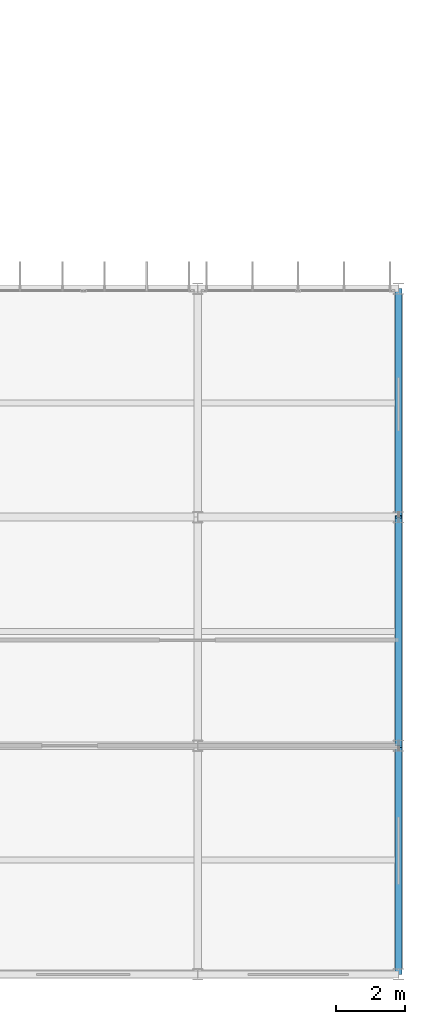
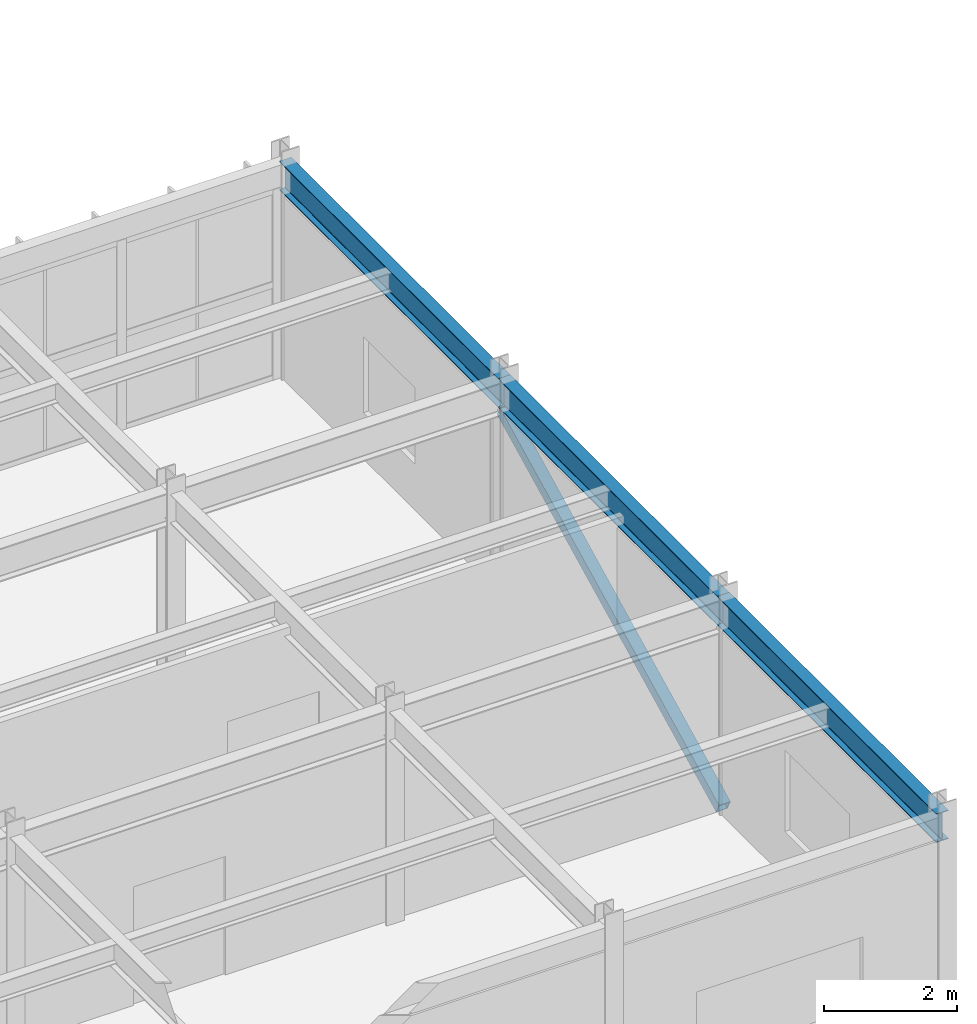
# One storey, part 86 of 130: 3 beams, 1 member.
"""IFC4 building model written with IfcOpenShell, lengths in metres."""

import ifcopenshell
import ifcopenshell.guid

model = None  # the IFC model being written
_history = None  # IfcOwnerHistory: only IFC2X3 demands one
_inside = {}  # id of a spatial element -> (the spatial element, [elements in it])
_under = {}  # id of a project, library or spatial element -> (it, [spatial elements below it])
_declared = {}  # id of a project -> (the project, [libraries it declares])
_typed = {}  # id of a type object -> (the type object, [elements of that type])
_made_of = {}  # id of a material, layer set ... -> (it, [elements and type objects made of it])


def new_model(schema):
    """Start an empty IFC model of exactly this schema.

    Asked for "IFC4X3", IfcOpenShell would pick the latest addendum, in which some entities
    have other attributes; the version numbers below select the first issue.
    IFC2X3 requires an IfcOwnerHistory on every rooted entity: one is made here for all.
    """
    global model, _history
    if schema == "IFC4X3":
        model = ifcopenshell.file(schema_version=(4, 3, 0, 0))
    else:
        model = ifcopenshell.file(schema=schema)
    _inside.clear()
    _under.clear()
    _declared.clear()
    _typed.clear()
    _made_of.clear()
    _history = None
    if model.schema == "IFC2X3":
        org = make("IfcOrganization", Name="unknown")
        user = make(
            "IfcPersonAndOrganization",
            ThePerson=make("IfcPerson", FamilyName="unknown"),
            TheOrganization=org,
        )
        app = make(
            "IfcApplication",
            ApplicationDeveloper=org,
            Version="unknown",
            ApplicationFullName="unknown",
            ApplicationIdentifier="unknown",
        )
        _history = make(
            "IfcOwnerHistory",
            OwningUser=user,
            OwningApplication=app,
            ChangeAction="ADDED",
            CreationDate=0,
        )
    return model


def make(cls, **values):
    """One entity of the class cls with the attributes given. An attribute that is None is left unset."""
    return model.create_entity(
        cls, **{name: value for name, value in values.items() if value is not None}
    )


def rooted(cls, **values):
    """An entity with a GlobalId (a new one), such as an element, a storey or a relation."""
    return make(cls, GlobalId=ifcopenshell.guid.new(), OwnerHistory=_history, **values)


def si_unit(unit_type, name, prefix=None):
    """IfcSIUnit, for example si_unit("LENGTHUNIT", "METRE", prefix="MILLI")."""
    return make("IfcSIUnit", UnitType=unit_type, Prefix=prefix, Name=name)


def assignment(units):
    """IfcUnitAssignment: the units of a project."""
    return None if units is None else make("IfcUnitAssignment", Units=units)


def point(xyz):
    """IfcCartesianPoint."""
    return None if xyz is None else make("IfcCartesianPoint", Coordinates=xyz)


def direction(xyz):
    """IfcDirection."""
    return None if xyz is None else make("IfcDirection", DirectionRatios=xyz)


def frame(location, z_axis=None, x_axis=None):
    """IfcAxis2Placement3D, a coordinate frame: its origin and axes. An axis left out is left unset."""
    return make(
        "IfcAxis2Placement3D",
        Location=point(location),
        Axis=direction(z_axis),
        RefDirection=direction(x_axis),
    )


def frame_2d(location, x_axis=None):
    """IfcAxis2Placement2D, a coordinate frame in the plane: its origin and x axis."""
    return make(
        "IfcAxis2Placement2D", Location=point(location), RefDirection=direction(x_axis)
    )


def origin():
    """The frame at (0, 0, 0) with its axes left unset."""
    return frame((0.0, 0.0, 0.0))


def origin_2d():
    """The frame at (0, 0) in the plane with its x axis left unset."""
    return frame_2d((0.0, 0.0))


def place(relative_to, where):
    """IfcLocalPlacement: puts the frame where relative to a parent placement (None: the world)."""
    return make(
        "IfcLocalPlacement", PlacementRelTo=relative_to, RelativePlacement=where
    )


def context(
    kind, dimensions, precision=None, world=None, true_north=None, identifier=None
):
    """IfcGeometricRepresentationContext, for example the 3D "Model" context."""
    return make(
        "IfcGeometricRepresentationContext",
        ContextIdentifier=identifier,
        ContextType=kind,
        CoordinateSpaceDimension=dimensions,
        Precision=precision,
        WorldCoordinateSystem=world,
        TrueNorth=true_north,
    )


def subcontext(parent, identifier, kind, view, scale=None):
    """IfcGeometricRepresentationSubContext, for example "Body" below "Model"."""
    return make(
        "IfcGeometricRepresentationSubContext",
        ContextIdentifier=identifier,
        ContextType=kind,
        ParentContext=parent,
        TargetScale=scale,
        TargetView=view,
    )


def project(units=None, contexts=None):
    """IfcProject with its units and contexts."""
    return rooted(
        "IfcProject",
        Name="project",
        RepresentationContexts=contexts,
        UnitsInContext=assignment(units),
    )


def spatial(cls, under=None, at=None, **own):
    """A site, building, storey or space (cls), placed at a placement, below another one or the project."""
    s = rooted(cls, ObjectPlacement=at, **own)
    if under is not None:
        _under.setdefault(under.id(), (under, []))[1].append(s)
    return s


def profile(cls, at=None, kind="AREA", **sizes):
    """A parametric profile (cls). Its sizes go by their IFC names, for example OverallWidth=200.0."""
    return make(cls, ProfileType=kind, Position=at, **sizes)


def hollow_rectangle(**sizes):
    """IfcRectangleHollowProfileDef."""
    return profile("IfcRectangleHollowProfileDef", **sizes)


def i_section(**sizes):
    """IfcIShapeProfileDef."""
    return profile("IfcIShapeProfileDef", **sizes)


def extrude(swept, where, along, depth):
    """IfcExtrudedAreaSolid: the profile swept, set in the frame where, extruded along a direction by depth."""
    return make(
        "IfcExtrudedAreaSolid",
        SweptArea=swept,
        Position=where,
        ExtrudedDirection=direction(along),
        Depth=depth,
    )


def shape(context_of_items, identifier, shape_type, items):
    """IfcShapeRepresentation: the items that make up one representation, for example the "Body"."""
    return make(
        "IfcShapeRepresentation",
        ContextOfItems=context_of_items,
        RepresentationIdentifier=identifier,
        RepresentationType=shape_type,
        Items=items,
    )


def material(Name=None, Category=None):
    """IfcMaterial."""
    return make("IfcMaterial", Name=Name, Category=Category)


def material_profile(
    of_material, cross_section, Name=None, Category=None, Priority=None
):
    """IfcMaterialProfile: a cross section and its material."""
    return make(
        "IfcMaterialProfile",
        Name=Name,
        Material=of_material,
        Profile=cross_section,
        Priority=Priority,
        Category=Category,
    )


def profile_set(profiles, Name=None, composite=None):
    """IfcMaterialProfileSet."""
    return make(
        "IfcMaterialProfileSet",
        Name=Name,
        MaterialProfiles=profiles,
        CompositeProfile=composite,
    )


def made_of(thing, what):
    """Note that an element or type object is made of a material, layer set ...; save() writes the relation."""
    if what is not None:
        _made_of.setdefault(what.id(), (what, []))[1].append(thing)
    return thing


def type_object(cls, material=None, **own):
    """A type object (cls), such as IfcWallType, which elements share."""
    return made_of(rooted(cls, **own), material)


def element(
    cls,
    number,
    at=None,
    inside=None,
    cuts=None,
    type_object=None,
    material=None,
    context=None,
    identifier="Body",
    shape_type=None,
    held_by="IfcProductDefinitionShape",
    body=None,
    shapes=None,
    **own,
):
    """One element of the class cls, such as IfcWall. Its Tag is "e" and its number.

    at: its placement. inside: the storey or other place that contains it. cuts: it is an
    opening in that element (IfcRelVoidsElement). A single representation is given by context,
    identifier, shape_type and body (its items); several are given by shapes. held_by: the class
    of the entity that holds the representations. save() writes the other relations.
    """
    e = rooted(cls, Tag="e%d" % number, ObjectPlacement=at, **own)
    if body is not None:
        shapes = [shape(context, identifier, shape_type, body)]
    if shapes is not None:
        e.Representation = make(held_by, Representations=shapes)
    if inside is not None:
        _inside.setdefault(inside.id(), (inside, []))[1].append(e)
    if cuts is not None:
        rooted(
            "IfcRelVoidsElement", RelatingBuildingElement=cuts, RelatedOpeningElement=e
        )
    if type_object is not None:
        _typed.setdefault(type_object.id(), (type_object, []))[1].append(e)
    return made_of(e, material)


def aggregate(whole, parts):
    """IfcRelAggregates: a whole, such as a stair, and the parts it consists of."""
    return rooted("IfcRelAggregates", RelatingObject=whole, RelatedObjects=parts)


def save(model, path):
    """Write the relations noted so far, then the file.

    IfcRelAggregates (storeys below a building ...), IfcRelContainedInSpatialStructure (elements
    in a storey), IfcRelDefinesByType, IfcRelAssociatesMaterial and IfcRelDeclares: one each for
    every whole, place, type object, material and project.
    """
    for whole, parts in _under.values():
        aggregate(whole, parts)
    for where, things in _inside.values():
        rooted(
            "IfcRelContainedInSpatialStructure",
            RelatedElements=things,
            RelatingStructure=where,
        )
    for kind, things in _typed.values():
        rooted("IfcRelDefinesByType", RelatedObjects=things, RelatingType=kind)
    for what, things in _made_of.values():
        rooted("IfcRelAssociatesMaterial", RelatedObjects=things, RelatingMaterial=what)
    for by, libraries in _declared.values():
        rooted("IfcRelDeclares", RelatingContext=by, RelatedDefinitions=libraries)
    model.write(path)


model = new_model("IFC4")

# Units and contexts
model_context = context("Model", 3, precision=1e-05, world=origin(), true_north=direction((0.0, 1.0)))
body_context = subcontext(model_context, "Body", "Model", "MODEL_VIEW")
ifc_project = project(units=[si_unit("LENGTHUNIT", "METRE"), si_unit("AREAUNIT", "SQUARE_METRE"), si_unit("VOLUMEUNIT", "CUBIC_METRE"), si_unit("PLANEANGLEUNIT", "RADIAN"), si_unit("MASSUNIT", "GRAM", prefix="KILO")], contexts=[model_context])

# Site, building, storey
site_placement = place(None, origin())
site = spatial("IfcSite", under=ifc_project, at=site_placement, CompositionType="ELEMENT")
building_placement = place(site_placement, origin())
building = spatial("IfcBuilding", under=site, at=building_placement, Name="Karori Crest Natural Sciences Institute", CompositionType="ELEMENT")
storey_placement = place(building_placement, frame((0.0, 0.0, 17.5)))
storey = spatial("IfcBuildingStorey", under=building, at=storey_placement, Name="L04", CompositionType="ELEMENT", Elevation=17.5)

# Beams
ifc_material_1 = material(Name="Structural steel AS/NZS 3679.1 Grade 350", Category="steel")
ifc_material_profile_1 = material_profile(ifc_material_1, i_section(OverallWidth=0.208984375, OverallDepth=0.532958984375, WebThickness=0.01025390625, FlangeThickness=0.015625, FilletRadius=0.013916015625, at=origin_2d()), Name="530UB92.4")
ifc_profile_set_1 = profile_set([ifc_material_profile_1], Name="Structural steel AS/NZS 3679.1 Grade 350")
beam_type = type_object("IfcBeamType", Name="BT-05-EL", PredefinedType="BEAM", material=ifc_profile_set_1)
beam_placement = place(storey_placement, frame((162.199951171875, 0.800048828125, 3.653564453125), z_axis=(0.0, 1.0, 0.0), x_axis=(-1.0, 0.0, 0.0)))
element("IfcBeam", 1, at=beam_placement, inside=storey, type_object=beam_type, Name="Beam B-2428", PredefinedType="BEAM", context=body_context, shape_type="SweptSolid", body=[
    extrude(i_section(OverallWidth=0.208984375, OverallDepth=0.532958984375, WebThickness=0.01025390625, FlangeThickness=0.015625, FilletRadius=0.013916015625, at=origin_2d()), origin(), (0.0, 0.0, 1.0), 6.599853515625),
])
for number, where, z_axis, x_axis, name in (
    (2, (162.199951171875, 7.39990234375, 3.653564453125), (0.0, 1.0, 0.0), (-1.0, 0.0, 0.0), "Beam B-2429"),
    (3, (162.199951171875, 14.0, 3.653564453125), (0.0, 1.0, 0.0), (-1.0, 0.0, 0.0), "Beam B-2430"),
):
    element("IfcBeam", number, at=place(storey_placement, frame(where, z_axis=z_axis, x_axis=x_axis)), inside=storey, type_object=beam_type, Name=name, PredefinedType="BEAM", context=body_context, shape_type="SweptSolid", body=[
        extrude(i_section(OverallWidth=0.208984375, OverallDepth=0.532958984375, WebThickness=0.01025390625, FlangeThickness=0.015625, FilletRadius=0.013916015625, at=origin_2d()), origin(), (0.0, 0.0, 1.0), 6.60009765625),
    ])

# Member
ifc_material_2 = material(Name="Hollow structural steel AS/NZS 1163 Grade C350", Category="steel")
ifc_material_profile_2 = material_profile(ifc_material_2, hollow_rectangle(XDim=0.199951171875, YDim=0.199951171875, WallThickness=0.010009765625, at=origin_2d()), Name="SHS200x200x10")
ifc_profile_set_2 = profile_set([ifc_material_profile_2], Name="Hollow structural steel AS/NZS 1163 Grade C350")
member_type = type_object("IfcMemberType", Name="MT-04", PredefinedType="BRACE", material=ifc_profile_set_2)
member_placement = place(storey_placement, frame((162.199951171875, 7.39990234375, 0.010009765625), z_axis=(0.0, 0.893990252714, 0.448086406905), x_axis=(-1.0, 0.0, 0.0)))
element("IfcMember", 4, at=member_placement, inside=storey, type_object=member_type, Name="Diagonal Brace M-0448", PredefinedType="BRACE", context=body_context, shape_type="SweptSolid", body=[
    extrude(hollow_rectangle(XDim=0.199951171875, YDim=0.199951171875, WallThickness=0.010009765625, at=origin_2d()), origin(), (0.0, 0.0, 1.0), 7.3828125),
])

save(model, "model.ifc")
